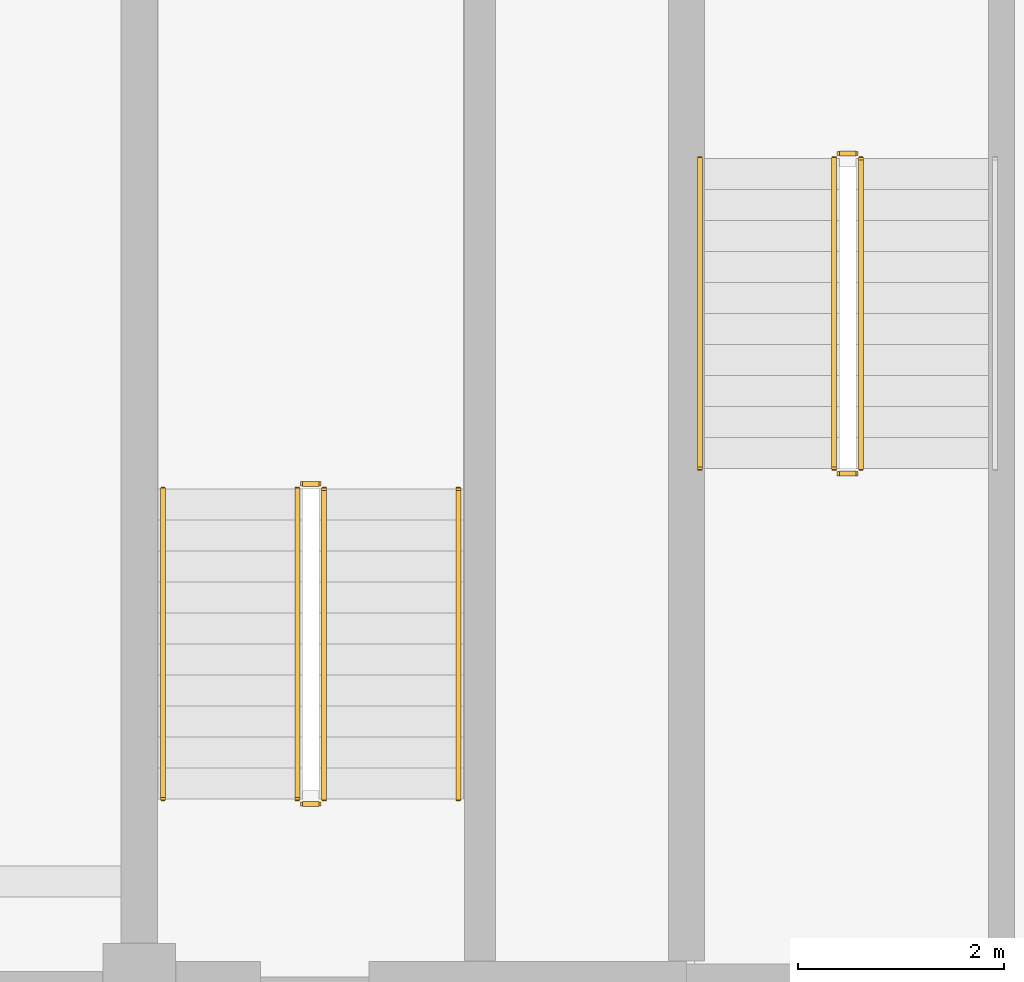
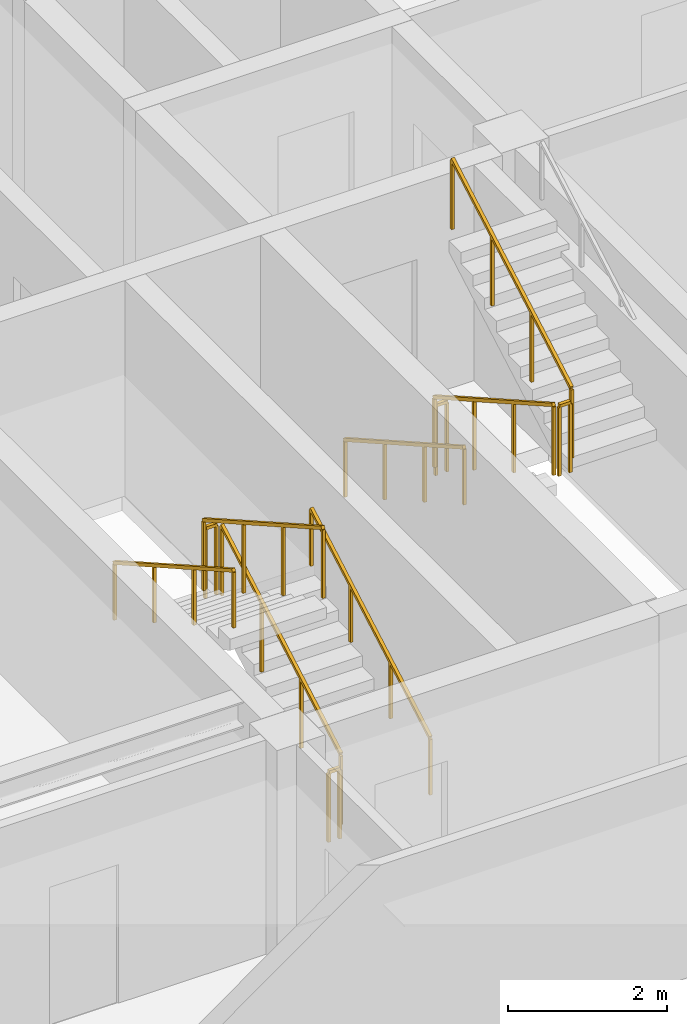
# One storey, part 8 of 11: 11 railings.
"""IFC4 building model written with IfcOpenShell, lengths in metres."""

from ifc_helpers import new_model, si_unit, direction, frame, origin, origin_2d, place, context, subcontext, project, spatial, rectangle, extrude, material, type_object, element, save


model = new_model("IFC4")

# Units and contexts
model_context = context("Model", 3, precision=1e-05, world=origin(), true_north=direction((0.0, 1.0)))
body_context = subcontext(model_context, "Body", "Model", "MODEL_VIEW")
ifc_project = project(units=[si_unit("LENGTHUNIT", "METRE"), si_unit("AREAUNIT", "SQUARE_METRE"), si_unit("VOLUMEUNIT", "CUBIC_METRE"), si_unit("PLANEANGLEUNIT", "RADIAN"), si_unit("MASSUNIT", "GRAM", prefix="KILO")], contexts=[model_context])

# Site, building, storey
site_placement = place(None, origin())
site = spatial("IfcSite", under=ifc_project, at=site_placement, CompositionType="ELEMENT")
building_placement = place(site_placement, origin())
building = spatial("IfcBuilding", under=site, at=building_placement, Name="Zulmaris Gate Convention Tower", CompositionType="ELEMENT")
storey_placement = place(building_placement, frame((0.0, 0.0, 274.320068359375)))
storey = spatial("IfcBuildingStorey", under=building, at=storey_placement, Name="L73", CompositionType="ELEMENT", Elevation=274.320068359375)

# Railings
ifc_material_1 = material(Name="Painted Galvanised Steel", Category="steel")
railing_type_1 = type_object("IfcRailingType", Name="RL-STG-1150", PredefinedType="GUARDRAIL", material=ifc_material_1)
railing_1_placement = place(storey_placement, frame((-13.27001953125, -2.0, 0.169921875)))
element("IfcRailing", 1, at=railing_1_placement, inside=storey, type_object=railing_type_1, Name="L73 ST-1 stair guard 1", PredefinedType="GUARDRAIL", context=body_context, shape_type="SweptSolid", body=[
    extrude(rectangle(XDim=0.048095703125, YDim=0.048095703125, at=origin_2d()), frame((0.0, 0.0, 1.076171875), z_axis=(0.0, -0.869997889882, 0.493055444754), x_axis=(1.0, 0.0, 0.0)), (0.0, 0.0, 1.0), 3.4482421875),
    extrude(rectangle(XDim=0.0419921875, YDim=0.0419921875, at=origin_2d()), origin(), (0.0, 0.0, 1.0), 1.052001953125),
    extrude(rectangle(XDim=0.0419921875, YDim=0.0419921875, at=origin_2d()), frame((0.0, -1.0, 0.566650390625)), (0.0, 0.0, 1.0), 1.052001953125),
    extrude(rectangle(XDim=0.0419921875, YDim=0.0419921875, at=origin_2d()), frame((0.0, -2.0, 1.133544921875)), (0.0, 0.0, 1.0), 1.052001953125),
    extrude(rectangle(XDim=0.0419921875, YDim=0.0419921875, at=origin_2d()), frame((0.0, -3.0, 1.7001953125)), (0.0, 0.0, 1.0), 1.052001953125),
])
railing_2_placement = place(storey_placement, frame((-13.219970703125, -5.050048828125, 1.8701171875)))
element("IfcRailing", 2, at=railing_2_placement, inside=storey, type_object=railing_type_1, Name="L73 ST-1 stair guard 2", PredefinedType="GUARDRAIL", context=body_context, shape_type="SweptSolid", body=[
    extrude(rectangle(XDim=0.048095703125, YDim=0.048095703125, at=origin_2d()), frame((0.0, 0.0, 1.076171875), z_axis=(1.0, 0.0, 0.0), x_axis=(0.0, 1.0, 0.0)), (0.0, 0.0, 1.0), 0.159912109375),
    extrude(rectangle(XDim=0.0419921875, YDim=0.0419921875, at=origin_2d()), origin(), (0.0, 0.0, 1.0), 1.052001953125),
    extrude(rectangle(XDim=0.0419921875, YDim=0.0419921875, at=origin_2d()), frame((0.159912109375, 0.0, 0.0)), (0.0, 0.0, 1.0), 1.052001953125),
])
railing_3_placement = place(storey_placement, frame((-13.010009765625, -5.0, 2.0400390625)))
element("IfcRailing", 3, at=railing_3_placement, inside=storey, type_object=railing_type_1, Name="L73 ST-1 stair guard 3", PredefinedType="GUARDRAIL", context=body_context, shape_type="SweptSolid", body=[
    extrude(rectangle(XDim=0.048095703125, YDim=0.048095703125, at=origin_2d()), frame((0.0, 0.0, 1.076171875), z_axis=(0.0, 0.870028259722, 0.493001853226), x_axis=(-1.0, 0.0, 0.0)), (0.0, 0.0, 1.0), 3.4482421875),
    extrude(rectangle(XDim=0.0419921875, YDim=0.0419921875, at=origin_2d()), origin(), (0.0, 0.0, 1.0), 1.052001953125),
    extrude(rectangle(XDim=0.0419921875, YDim=0.0419921875, at=origin_2d()), frame((0.0, 1.0, 0.566650390625)), (0.0, 0.0, 1.0), 1.052001953125),
    extrude(rectangle(XDim=0.0419921875, YDim=0.0419921875, at=origin_2d()), frame((0.0, 2.0, 1.13330078125)), (0.0, 0.0, 1.0), 1.052001953125),
    extrude(rectangle(XDim=0.0419921875, YDim=0.0419921875, at=origin_2d()), frame((0.0, 3.0, 1.699951171875)), (0.0, 0.0, 1.0), 1.052001953125),
])
railing_4_placement = place(storey_placement, frame((-13.219970703125, -1.949951171875, 0.0)))
element("IfcRailing", 4, at=railing_4_placement, inside=storey, type_object=railing_type_1, Name="L73 ST-1 stair guard 4", PredefinedType="GUARDRAIL", context=body_context, shape_type="SweptSolid", body=[
    extrude(rectangle(XDim=0.048095703125, YDim=0.048095703125, at=origin_2d()), frame((0.0, 0.0, 1.076171875), z_axis=(1.0, 0.0, 0.0), x_axis=(0.0, 1.0, 0.0)), (0.0, 0.0, 1.0), 0.159912109375),
    extrude(rectangle(XDim=0.0419921875, YDim=0.0419921875, at=origin_2d()), origin(), (0.0, 0.0, 1.0), 1.052001953125),
    extrude(rectangle(XDim=0.0419921875, YDim=0.0419921875, at=origin_2d()), frame((0.159912109375, 0.0, 0.0)), (0.0, 0.0, 1.0), 1.052001953125),
])
railing_5_placement = place(storey_placement, frame((-18.2099609375, -8.199951171875, 0.169921875)))
element("IfcRailing", 5, at=railing_5_placement, inside=storey, type_object=railing_type_1, Name="L73 ST-3 stair guard 1", PredefinedType="GUARDRAIL", context=body_context, shape_type="SweptSolid", body=[
    extrude(rectangle(XDim=0.048095703125, YDim=0.048095703125, at=origin_2d()), frame((0.0, 0.0, 1.076171875), z_axis=(0.0, 0.869997889882, 0.493055444754), x_axis=(-1.0, 0.0, 0.0)), (0.0, 0.0, 1.0), 3.4482421875),
    extrude(rectangle(XDim=0.0419921875, YDim=0.0419921875, at=origin_2d()), origin(), (0.0, 0.0, 1.0), 1.052001953125),
    extrude(rectangle(XDim=0.0419921875, YDim=0.0419921875, at=origin_2d()), frame((0.0, 1.0, 0.566650390625)), (0.0, 0.0, 1.0), 1.052001953125),
    extrude(rectangle(XDim=0.0419921875, YDim=0.0419921875, at=origin_2d()), frame((0.0, 2.0, 1.133544921875)), (0.0, 0.0, 1.0), 1.052001953125),
    extrude(rectangle(XDim=0.0419921875, YDim=0.0419921875, at=origin_2d()), frame((0.0, 3.0, 1.7001953125)), (0.0, 0.0, 1.0), 1.052001953125),
])
railing_6_placement = place(storey_placement, frame((-18.260009765625, -5.14990234375, 1.8701171875)))
element("IfcRailing", 6, at=railing_6_placement, inside=storey, type_object=railing_type_1, Name="L73 ST-3 stair guard 2", PredefinedType="GUARDRAIL", context=body_context, shape_type="SweptSolid", body=[
    extrude(rectangle(XDim=0.048095703125, YDim=0.048095703125, at=origin_2d()), frame((0.0, 0.0, 1.076171875), z_axis=(-1.0, 0.0, 0.0), x_axis=(0.0, -1.0, 0.0)), (0.0, 0.0, 1.0), 0.159912109375),
    extrude(rectangle(XDim=0.0419921875, YDim=0.0419921875, at=origin_2d()), origin(), (0.0, 0.0, 1.0), 1.052001953125),
    extrude(rectangle(XDim=0.0419921875, YDim=0.0419921875, at=origin_2d()), frame((-0.159912109375, 0.0, 0.0)), (0.0, 0.0, 1.0), 1.052001953125),
])
railing_7_placement = place(storey_placement, frame((-18.469970703125, -5.199951171875, 2.0400390625)))
element("IfcRailing", 7, at=railing_7_placement, inside=storey, type_object=railing_type_1, Name="L73 ST-3 stair guard 3", PredefinedType="GUARDRAIL", context=body_context, shape_type="SweptSolid", body=[
    extrude(rectangle(XDim=0.048095703125, YDim=0.048095703125, at=origin_2d()), frame((0.0, 0.0, 1.076171875), z_axis=(0.0, -0.870028259722, 0.493001853226), x_axis=(1.0, 0.0, 0.0)), (0.0, 0.0, 1.0), 3.4482421875),
    extrude(rectangle(XDim=0.0419921875, YDim=0.0419921875, at=origin_2d()), origin(), (0.0, 0.0, 1.0), 1.052001953125),
    extrude(rectangle(XDim=0.0419921875, YDim=0.0419921875, at=origin_2d()), frame((0.0, -1.0, 0.566650390625)), (0.0, 0.0, 1.0), 1.052001953125),
    extrude(rectangle(XDim=0.0419921875, YDim=0.0419921875, at=origin_2d()), frame((0.0, -2.0, 1.13330078125)), (0.0, 0.0, 1.0), 1.052001953125),
    extrude(rectangle(XDim=0.0419921875, YDim=0.0419921875, at=origin_2d()), frame((0.0, -3.0, 1.699951171875)), (0.0, 0.0, 1.0), 1.052001953125),
])
railing_8_placement = place(storey_placement, frame((-18.260009765625, -8.25, 0.0)))
element("IfcRailing", 8, at=railing_8_placement, inside=storey, type_object=railing_type_1, Name="L73 ST-3 stair guard 4", PredefinedType="GUARDRAIL", context=body_context, shape_type="SweptSolid", body=[
    extrude(rectangle(XDim=0.048095703125, YDim=0.048095703125, at=origin_2d()), frame((0.0, 0.0, 1.076171875), z_axis=(-1.0, 0.0, 0.0), x_axis=(0.0, -1.0, 0.0)), (0.0, 0.0, 1.0), 0.159912109375),
    extrude(rectangle(XDim=0.0419921875, YDim=0.0419921875, at=origin_2d()), origin(), (0.0, 0.0, 1.0), 1.052001953125),
    extrude(rectangle(XDim=0.0419921875, YDim=0.0419921875, at=origin_2d()), frame((-0.159912109375, 0.0, 0.0)), (0.0, 0.0, 1.0), 1.052001953125),
])
ifc_material_2 = material(Name="Brushed Stainless Steel", Category="steel")
railing_type_2 = type_object("IfcRailingType", Name="RL-STH-900", PredefinedType="HANDRAIL", material=ifc_material_2)
railing_9_placement = place(storey_placement, frame((-14.570068359375, -2.0, 0.169921875)))
element("IfcRailing", 9, at=railing_9_placement, inside=storey, type_object=railing_type_2, Name="L73 ST-1 stair handrail 1", PredefinedType="HANDRAIL", context=body_context, shape_type="SweptSolid", body=[
    extrude(rectangle(XDim=0.048095703125, YDim=0.048095703125, at=origin_2d()), frame((0.0, 0.0, 0.8759765625), z_axis=(0.0, -0.869997889882, 0.493055444754), x_axis=(1.0, 0.0, 0.0)), (0.0, 0.0, 1.0), 3.4482421875),
    extrude(rectangle(XDim=0.0419921875, YDim=0.0419921875, at=origin_2d()), origin(), (0.0, 0.0, 1.0), 0.851806640625),
    extrude(rectangle(XDim=0.0419921875, YDim=0.0419921875, at=origin_2d()), frame((0.0, -1.0, 0.566650390625)), (0.0, 0.0, 1.0), 0.851806640625),
    extrude(rectangle(XDim=0.0419921875, YDim=0.0419921875, at=origin_2d()), frame((0.0, -2.0, 1.133544921875)), (0.0, 0.0, 1.0), 0.851806640625),
    extrude(rectangle(XDim=0.0419921875, YDim=0.0419921875, at=origin_2d()), frame((0.0, -3.0, 1.7001953125)), (0.0, 0.0, 1.0), 0.851806640625),
])
railing_10_placement = place(storey_placement, frame((-16.909912109375, -8.199951171875, 0.169921875)))
element("IfcRailing", 10, at=railing_10_placement, inside=storey, type_object=railing_type_2, Name="L73 ST-3 stair handrail 1", PredefinedType="HANDRAIL", context=body_context, shape_type="SweptSolid", body=[
    extrude(rectangle(XDim=0.048095703125, YDim=0.048095703125, at=origin_2d()), frame((0.0, 0.0, 0.8759765625), z_axis=(0.0, 0.869997889882, 0.493055444754), x_axis=(-1.0, 0.0, 0.0)), (0.0, 0.0, 1.0), 3.4482421875),
    extrude(rectangle(XDim=0.0419921875, YDim=0.0419921875, at=origin_2d()), origin(), (0.0, 0.0, 1.0), 0.851806640625),
    extrude(rectangle(XDim=0.0419921875, YDim=0.0419921875, at=origin_2d()), frame((0.0, 1.0, 0.566650390625)), (0.0, 0.0, 1.0), 0.851806640625),
    extrude(rectangle(XDim=0.0419921875, YDim=0.0419921875, at=origin_2d()), frame((0.0, 2.0, 1.133544921875)), (0.0, 0.0, 1.0), 0.851806640625),
    extrude(rectangle(XDim=0.0419921875, YDim=0.0419921875, at=origin_2d()), frame((0.0, 3.0, 1.7001953125)), (0.0, 0.0, 1.0), 0.851806640625),
])
railing_11_placement = place(storey_placement, frame((-19.77001953125, -5.199951171875, 2.0400390625)))
element("IfcRailing", 11, at=railing_11_placement, inside=storey, type_object=railing_type_2, Name="L73 ST-3 stair handrail 2", PredefinedType="HANDRAIL", context=body_context, shape_type="SweptSolid", body=[
    extrude(rectangle(XDim=0.048095703125, YDim=0.048095703125, at=origin_2d()), frame((0.0, 0.0, 0.8759765625), z_axis=(0.0, -0.870028259722, 0.493001853226), x_axis=(1.0, 0.0, 0.0)), (0.0, 0.0, 1.0), 3.4482421875),
    extrude(rectangle(XDim=0.0419921875, YDim=0.0419921875, at=origin_2d()), origin(), (0.0, 0.0, 1.0), 0.851806640625),
    extrude(rectangle(XDim=0.0419921875, YDim=0.0419921875, at=origin_2d()), frame((0.0, -1.0, 0.566650390625)), (0.0, 0.0, 1.0), 0.851806640625),
    extrude(rectangle(XDim=0.0419921875, YDim=0.0419921875, at=origin_2d()), frame((0.0, -2.0, 1.13330078125)), (0.0, 0.0, 1.0), 0.851806640625),
    extrude(rectangle(XDim=0.0419921875, YDim=0.0419921875, at=origin_2d()), frame((0.0, -3.0, 1.699951171875)), (0.0, 0.0, 1.0), 0.851806640625),
])

save(model, "model.ifc")
